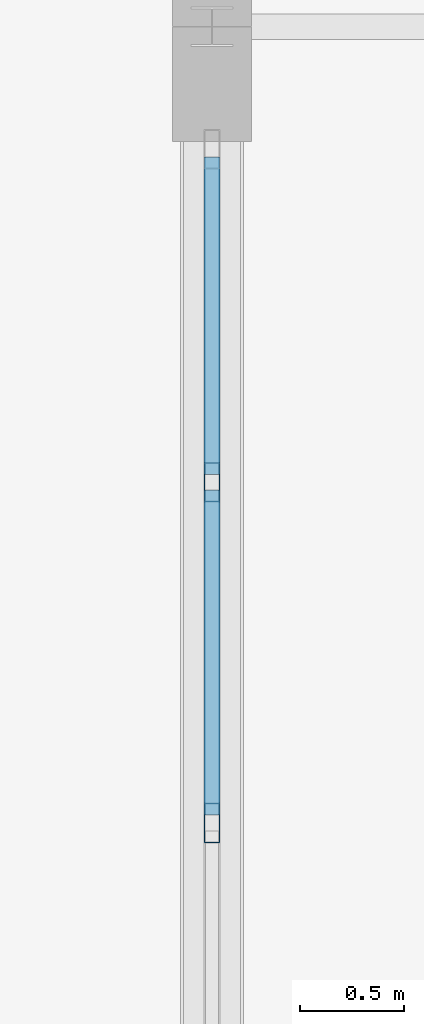
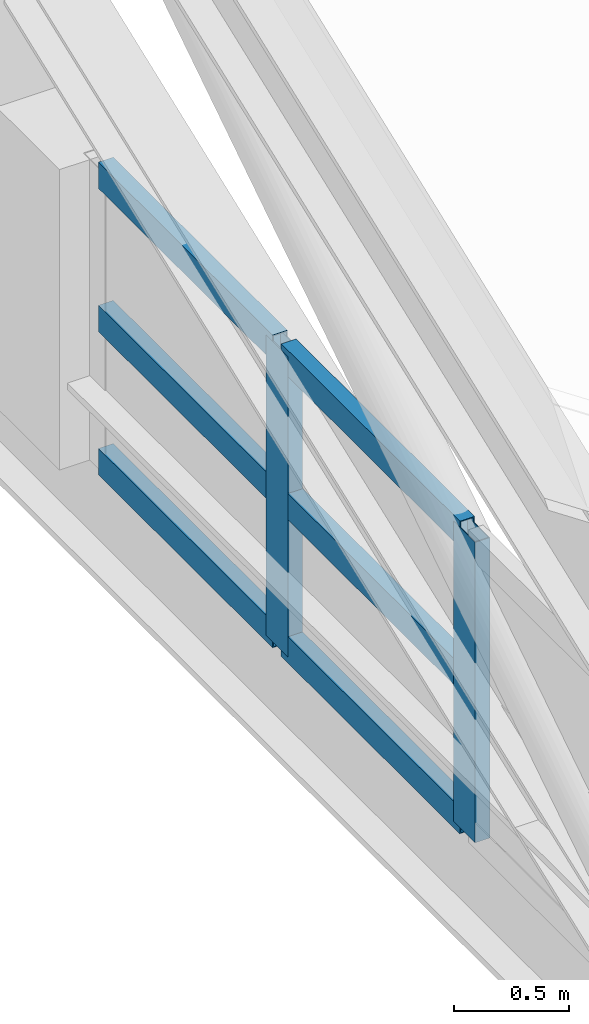
# One storey, part 71 of 204: 8 members, 1 element without a shape of its own.
"""IFC4 building model written with IfcOpenShell, lengths in metres."""

from ifc_helpers import new_model, si_unit, direction, frame, origin, origin_2d, place, context, subcontext, project, spatial, hollow_rectangle, extrude, material, layer, layer_set, material_profile, profile_set, type_object, element, aggregate, save


model = new_model("IFC4")

# Units and contexts
model_context = context("Model", 3, precision=1e-05, world=origin(), true_north=direction((0.0, 1.0)))
body_context = subcontext(model_context, "Body", "Model", "MODEL_VIEW")
ifc_project = project(units=[si_unit("LENGTHUNIT", "METRE"), si_unit("AREAUNIT", "SQUARE_METRE"), si_unit("VOLUMEUNIT", "CUBIC_METRE"), si_unit("PLANEANGLEUNIT", "RADIAN"), si_unit("MASSUNIT", "GRAM", prefix="KILO")], contexts=[model_context])

# Site, building, storey
site_placement = place(None, origin())
site = spatial("IfcSite", under=ifc_project, at=site_placement, CompositionType="ELEMENT")
building_placement = place(site_placement, origin())
building = spatial("IfcBuilding", under=site, at=building_placement, Name="Zilviju Railside Exhibition Hall", CompositionType="ELEMENT")
storey_placement = place(building_placement, frame((0.0, 0.0, 21.0)))
storey = spatial("IfcBuildingStorey", under=building, at=storey_placement, Name="RF", CompositionType="ELEMENT", Elevation=21.0)

# Curtain wall, members
ifc_material_1 = material(Name="Thermally broken aluminium-steel triple-glazed curtain wall", Category="steel")
ifc_layer = layer(ifc_material_1, 0.179931640625)
ifc_layer_set = layer_set([ifc_layer], Name="Thermally broken aluminium-steel triple-glazed curtain wall")
curtain_wall_type = type_object("IfcCurtainWallType", Name="CW-BAY-19", PredefinedType="USERDEFINED", material=ifc_layer_set)
curtain_wall_placement = place(storey_placement, origin())
curtain_wall = element("IfcCurtainWall", 1, at=curtain_wall_placement, inside=storey, type_object=curtain_wall_type, Name="North Hall Arch Lower Tympanum Glazing West P1", ObjectType="GLAZED CURTAIN WALL", PredefinedType="USERDEFINED")
ifc_material_2 = material(Name="Thermally broken anodized aluminium mullion", Category="aluminium")
ifc_material_profile_1 = material_profile(ifc_material_2, hollow_rectangle(XDim=0.074951171875, YDim=0.18994140625, WallThickness=0.0048828125, at=origin_2d()), Name="MULLION 190x75x5")
ifc_profile_set_1 = profile_set([ifc_material_profile_1], Name="Thermally broken anodized aluminium mullion")
member_type_1 = type_object("IfcMemberType", Name="CWM-75x190", PredefinedType="MULLION", material=ifc_profile_set_1)
member_1_placement = place(storey_placement, frame((78.0, 86.183349609375, -3.60009765625), z_axis=(0.0, 0.0, 1.0), x_axis=(-1.0, 0.0, 0.0)))
member_1 = element("IfcMember", 2, at=member_1_placement, type_object=member_type_1, Name="CW-19 mullion 2", PredefinedType="MULLION", context=body_context, shape_type="SweptSolid", body=[
    extrude(hollow_rectangle(XDim=0.074951171875, YDim=0.18994140625, WallThickness=0.0048828125, at=origin_2d()), origin(), (0.0, 0.0, 1.0), 1.60009765625),
])
member_2_placement = place(storey_placement, frame((78.0, 87.816650390625, -3.60009765625), z_axis=(0.0, 0.0, 1.0), x_axis=(-1.0, 0.0, 0.0)))
member_2 = element("IfcMember", 3, at=member_2_placement, type_object=member_type_1, Name="CW-19 mullion 3", PredefinedType="MULLION", context=body_context, shape_type="SweptSolid", body=[
    extrude(hollow_rectangle(XDim=0.074951171875, YDim=0.18994140625, WallThickness=0.0048828125, at=origin_2d()), origin(), (0.0, 0.0, 1.0), 1.60009765625),
])
ifc_material_3 = material(Name="Thermally broken anodized aluminium transom", Category="aluminium")
ifc_material_profile_2 = material_profile(ifc_material_3, hollow_rectangle(XDim=0.074951171875, YDim=0.139892578125, WallThickness=0.0048828125, at=origin_2d()), Name="TRANSOM 140x75x5")
ifc_profile_set_2 = profile_set([ifc_material_profile_2], Name="Thermally broken anodized aluminium transom")
member_type_2 = type_object("IfcMemberType", Name="CWT-75x140", PredefinedType="USERDEFINED", material=ifc_profile_set_2)
member_3_placement = place(storey_placement, frame((78.0, 86.220947265625, -3.5625), z_axis=(0.0, 1.0, 0.0), x_axis=(-1.0, 0.0, 0.0)))
member_3 = element("IfcMember", 4, at=member_3_placement, type_object=member_type_2, Name="CW-19 transom 2.1", ObjectType="TRANSOM", PredefinedType="USERDEFINED", context=body_context, shape_type="SweptSolid", body=[
    extrude(hollow_rectangle(XDim=0.074951171875, YDim=0.139892578125, WallThickness=0.0048828125, at=origin_2d()), origin(), (0.0, 0.0, 1.0), 1.55810546875),
])
member_4_placement = place(storey_placement, frame((78.0, 86.220947265625, -2.800048828125), z_axis=(0.0, 1.0, 0.0), x_axis=(-1.0, 0.0, 0.0)))
member_4 = element("IfcMember", 5, at=member_4_placement, type_object=member_type_2, Name="CW-19 transom 2.2", ObjectType="TRANSOM", PredefinedType="USERDEFINED", context=body_context, shape_type="SweptSolid", body=[
    extrude(hollow_rectangle(XDim=0.074951171875, YDim=0.139892578125, WallThickness=0.0048828125, at=origin_2d()), origin(), (0.0, 0.0, 1.0), 1.55810546875),
])
member_5_placement = place(storey_placement, frame((78.0, 86.220947265625, -2.03759765625), z_axis=(0.0, 1.0, 0.0), x_axis=(-1.0, 0.0, 0.0)))
member_5 = element("IfcMember", 6, at=member_5_placement, type_object=member_type_2, Name="CW-19 transom 2.3", ObjectType="TRANSOM", PredefinedType="USERDEFINED", context=body_context, shape_type="SweptSolid", body=[
    extrude(hollow_rectangle(XDim=0.074951171875, YDim=0.139892578125, WallThickness=0.0048828125, at=origin_2d()), origin(), (0.0, 0.0, 1.0), 1.55810546875),
])
member_6_placement = place(storey_placement, frame((78.0, 87.854248046875, -3.5625), z_axis=(0.0, 1.0, 0.0), x_axis=(-1.0, 0.0, 0.0)))
member_6 = element("IfcMember", 7, at=member_6_placement, type_object=member_type_2, Name="CW-19 transom 3.1", ObjectType="TRANSOM", PredefinedType="USERDEFINED", context=body_context, shape_type="SweptSolid", body=[
    extrude(hollow_rectangle(XDim=0.074951171875, YDim=0.139892578125, WallThickness=0.0048828125, at=origin_2d()), origin(), (0.0, 0.0, 1.0), 1.520751953125),
])
member_7_placement = place(storey_placement, frame((78.0, 87.854248046875, -2.800048828125), z_axis=(0.0, 1.0, 0.0), x_axis=(-1.0, 0.0, 0.0)))
member_7 = element("IfcMember", 8, at=member_7_placement, type_object=member_type_2, Name="CW-19 transom 3.2", ObjectType="TRANSOM", PredefinedType="USERDEFINED", context=body_context, shape_type="SweptSolid", body=[
    extrude(hollow_rectangle(XDim=0.074951171875, YDim=0.139892578125, WallThickness=0.0048828125, at=origin_2d()), origin(), (0.0, 0.0, 1.0), 1.520751953125),
])
member_8_placement = place(storey_placement, frame((78.0, 87.854248046875, -2.03759765625), z_axis=(0.0, 1.0, 0.0), x_axis=(-1.0, 0.0, 0.0)))
member_8 = element("IfcMember", 9, at=member_8_placement, type_object=member_type_2, Name="CW-19 transom 3.3", ObjectType="TRANSOM", PredefinedType="USERDEFINED", context=body_context, shape_type="SweptSolid", body=[
    extrude(hollow_rectangle(XDim=0.074951171875, YDim=0.139892578125, WallThickness=0.0048828125, at=origin_2d()), origin(), (0.0, 0.0, 1.0), 1.520751953125),
])
aggregate(curtain_wall, [member_1, member_2, member_3, member_4, member_5, member_6, member_7, member_8])

save(model, "model.ifc")
